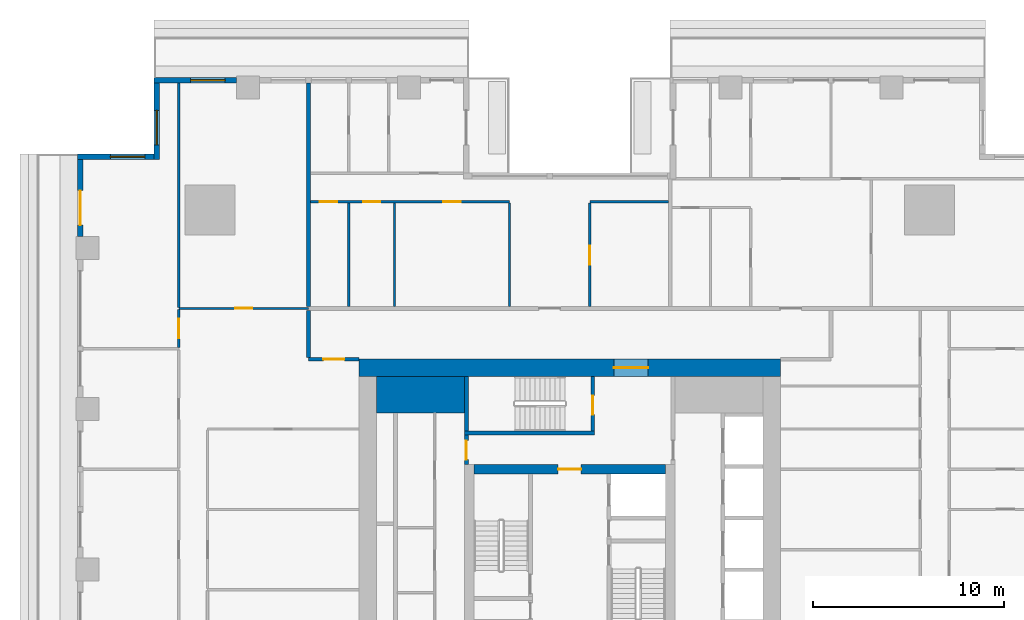
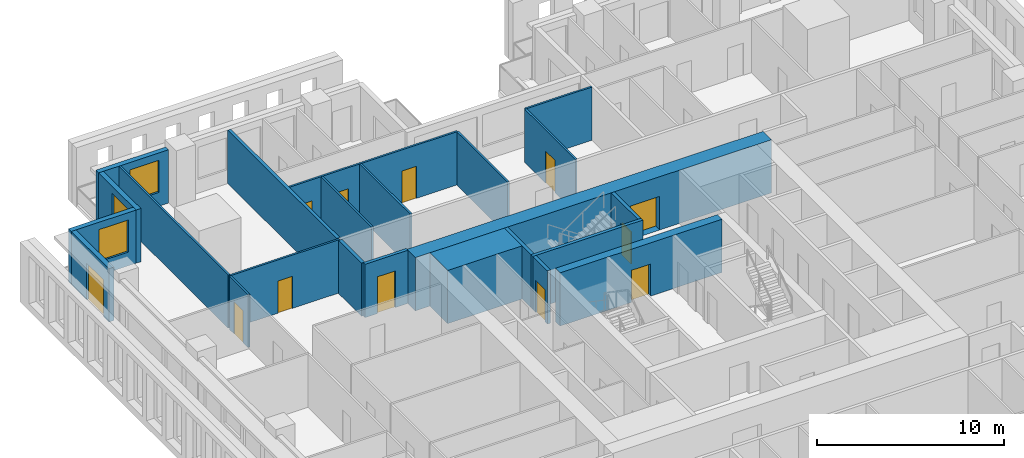
# One storey, part 7 of 16: 23 walls, 12 doors, 3 windows, 15 openings.
"""IFC4 building model written with IfcOpenShell, lengths in metres."""

from ifc_helpers import new_model, si_unit, direction, frame, frame_2d, origin, place, context, subcontext, project, spatial, rectangle, extrude, material, layer, layer_set, type_object, element, fill, save


model = new_model("IFC4")

# Units and contexts
model_context = context("Model", 3, precision=1e-05, world=origin(), true_north=direction((0.0, 1.0)))
body_context = subcontext(model_context, "Body", "Model", "MODEL_VIEW")
ifc_project = project(units=[si_unit("LENGTHUNIT", "METRE"), si_unit("AREAUNIT", "SQUARE_METRE"), si_unit("VOLUMEUNIT", "CUBIC_METRE"), si_unit("PLANEANGLEUNIT", "RADIAN"), si_unit("MASSUNIT", "GRAM", prefix="KILO")], contexts=[model_context])

# Site, building, storey
site_placement = place(None, origin())
site = spatial("IfcSite", under=ifc_project, at=site_placement, CompositionType="ELEMENT")
building_placement = place(site_placement, origin())
building = spatial("IfcBuilding", under=site, at=building_placement, Name="Khepri Terraces", CompositionType="ELEMENT")
storey_placement = place(building_placement, frame((0.0, 0.0, 141.60009765625)))
storey = spatial("IfcBuildingStorey", under=building, at=storey_placement, Name="L33", CompositionType="ELEMENT", Elevation=141.60009765625)

# Walls
ifc_material_1 = material(Name="Concrete C60/75", Category="concrete")
ifc_layer_1 = layer(ifc_material_1, 1.89990234375, Name="Concrete C60/75", Category="concrete")
ifc_layer_set_1 = layer_set([ifc_layer_1], Name="Concrete C60/75")
wall_type_1 = type_object("IfcWallType", Name="Core wall 1900 C60/75", PredefinedType="SHEAR", material=ifc_layer_set_1)
wall_1_placement = place(storey_placement, frame((-10.10009765625, 9.14990234375, 0.0), z_axis=(0.0, 0.0, 1.0), x_axis=(1.0, 0.0, 0.0)))
element("IfcWall", 1, at=wall_1_placement, inside=storey, type_object=wall_type_1, Name="Core wall PR03 L33", PredefinedType="SHEAR", context=body_context, shape_type="SweptSolid", body=[
    extrude(rectangle(XDim=4.60009765625, YDim=1.89990234375, at=frame_2d((2.300048828125, 0.0))), origin(), (0.0, 0.0, 1.0), 3.47998046875),
])
ifc_layer_2 = layer(ifc_material_1, 0.199951171875, Name="Concrete C60/75", Category="concrete")
ifc_layer_set_2 = layer_set([ifc_layer_2], Name="Concrete C60/75")
wall_type_2 = type_object("IfcWallType", Name="Core wall 200 C60/75", PredefinedType="SHEAR", material=ifc_layer_set_2)
wall_2_placement = place(storey_placement, frame((-5.5, 7.14990234375, 0.0), z_axis=(0.0, 0.0, 1.0), x_axis=(1.0, 0.0, 0.0)))
element("IfcWall", 2, at=wall_2_placement, inside=storey, type_object=wall_type_2, Name="Core wall ST05 L33", PredefinedType="SHEAR", context=body_context, shape_type="SweptSolid", body=[
    extrude(rectangle(XDim=6.800048828125, YDim=0.199951171875, at=frame_2d((3.39990234375, 0.0))), origin(), (0.0, 0.0, 1.0), 3.47998046875),
])
wall_3_placement = place(storey_placement, frame((-5.39990234375, 7.25, 0.0), z_axis=(0.0, 0.0, 1.0), x_axis=(0.0, 1.0, 0.0)))
element("IfcWall", 3, at=wall_3_placement, inside=storey, type_object=wall_type_2, Name="Core wall ST06 L33", PredefinedType="SHEAR", context=body_context, shape_type="SweptSolid", body=[
    extrude(rectangle(XDim=2.85009765625, YDim=0.199951171875, at=frame_2d((1.425048828125, 0.0))), origin(), (0.0, 0.0, 1.0), 3.47998046875),
])

# Wall, opening, door
wall_4_placement = place(storey_placement, frame((1.199951171875, 7.25, 0.0), z_axis=(0.0, 0.0, 1.0), x_axis=(0.0, 1.0, 0.0)))
wall_4 = element("IfcWall", 4, at=wall_4_placement, inside=storey, type_object=wall_type_2, Name="Core wall ST07 L33", PredefinedType="SHEAR", context=body_context, shape_type="SweptSolid", body=[
    extrude(rectangle(XDim=2.85009765625, YDim=0.199951171875, at=frame_2d((1.425048828125, 0.0))), origin(), (0.0, 0.0, 1.0), 3.47998046875),
])
opening_1_placement = place(wall_4_placement, frame((0.85009765625, 0.0, 0.0)))
opening_1 = element("IfcOpeningElement", 5, at=opening_1_placement, cuts=wall_4, Name="Opening L33-C15", PredefinedType="OPENING", context=body_context, shape_type="SweptSolid", body=[
    extrude(rectangle(XDim=1.0, YDim=2.10009765625, at=frame_2d((0.5, 1.050048828125))), frame((0.0, 0.10986328125, 0.0), z_axis=(0.0, -1.0, 0.0), x_axis=(1.0, 0.0, 0.0)), (0.0, 0.0, 1.0), 0.219970703125),
])
ifc_material_2 = material(Name="Painted steel", Category="steel")
door_type_1 = type_object("IfcDoorType", Name="DR-CORE-STAIR-1000", OperationType="NOTDEFINED", PredefinedType="DOOR", material=ifc_material_2)
door_1_placement = place(opening_1_placement, origin())
door_1 = element("IfcDoor", 6, at=door_1_placement, inside=storey, type_object=door_type_1, Name="Stair door L33-C15", OperationType="SINGLE_SWING_LEFT", OverallHeight=2.10009765625, OverallWidth=1.0, PredefinedType="DOOR", context=body_context, shape_type="SweptSolid", body=[
    extrude(rectangle(XDim=1.0, YDim=2.10009765625, at=frame_2d((0.5, 1.050048828125))), frame((0.0, 0.02490234375, 0.0), z_axis=(0.0, -1.0, 0.0), x_axis=(1.0, 0.0, 0.0)), (0.0, 0.0, 1.0), 0.050048828125),
])
fill(opening_1, door_1)

ifc_layer_3 = layer(ifc_material_1, 0.5, Name="Concrete C60/75", Category="concrete")
ifc_layer_set_3 = layer_set([ifc_layer_3], Name="Concrete C60/75")
wall_type_3 = type_object("IfcWallType", Name="Core wall 500 C60/75", PredefinedType="SHEAR", material=ifc_layer_set_3)
wall_5_placement = place(storey_placement, frame((-5.0, 5.25, 0.0), z_axis=(0.0, 0.0, 1.0), x_axis=(1.0, 0.0, 0.0)))
wall_5 = element("IfcWall", 7, at=wall_5_placement, inside=storey, type_object=wall_type_3, Name="Core wall BX04 L33", PredefinedType="SHEAR", context=body_context, shape_type="SweptSolid", body=[
    extrude(rectangle(XDim=10.0, YDim=0.5, at=frame_2d((5.0, 0.0))), origin(), (0.0, 0.0, 1.0), 3.47998046875),
])
opening_2_placement = place(wall_5_placement, frame((4.39990234375, 0.0, 0.0)))
opening_2 = element("IfcOpeningElement", 8, at=opening_2_placement, cuts=wall_5, Name="Opening L33-C13", PredefinedType="OPENING", context=body_context, shape_type="SweptSolid", body=[
    extrude(rectangle(XDim=1.199951171875, YDim=2.10009765625, at=frame_2d((0.60009765625, 1.050048828125))), frame((0.0, 0.260009765625, 0.0), z_axis=(0.0, -1.0, 0.0), x_axis=(1.0, 0.0, 0.0)), (0.0, 0.0, 1.0), 0.52001953125),
])
door_type_2 = type_object("IfcDoorType", Name="DR-CORE-FF-LOBBY-1200", OperationType="NOTDEFINED", PredefinedType="DOOR", material=ifc_material_2)
door_2_placement = place(opening_2_placement, frame((1.199951171875, 0.0, 0.0), z_axis=(0.0, 0.0, 1.0), x_axis=(-1.0, 0.0, 0.0)))
door_2 = element("IfcDoor", 9, at=door_2_placement, inside=storey, type_object=door_type_2, Name="Firefighting lobby door L33-C13", OperationType="SINGLE_SWING_LEFT", OverallHeight=2.10009765625, OverallWidth=1.199951171875, PredefinedType="DOOR", context=body_context, shape_type="SweptSolid", body=[
    extrude(rectangle(XDim=1.199951171875, YDim=2.10009765625, at=frame_2d((0.60009765625, 1.050048828125))), frame((0.0, 0.02490234375, 0.0), z_axis=(0.0, -1.0, 0.0), x_axis=(1.0, 0.0, 0.0)), (0.0, 0.0, 1.0), 0.050048828125),
])
fill(opening_2, door_2)

ifc_layer_4 = layer(ifc_material_1, 0.89990234375, Name="Concrete C60/75", Category="concrete")
ifc_layer_set_4 = layer_set([ifc_layer_4], Name="Concrete C60/75")
wall_type_4 = type_object("IfcWallType", Name="Core wall 900 C60/75", PredefinedType="SHEAR", material=ifc_layer_set_4)
wall_6_placement = place(storey_placement, frame((-11.0, 10.550048828125, 0.0), z_axis=(0.0, 0.0, 1.0), x_axis=(1.0, 0.0, 0.0)))
wall_6 = element("IfcWall", 10, at=wall_6_placement, inside=storey, type_object=wall_type_4, Name="Core wall OW-N L33", PredefinedType="SHEAR", context=body_context, shape_type="SweptSolid", body=[
    extrude(rectangle(XDim=22.0, YDim=0.89990234375, at=frame_2d((11.0, 0.0))), origin(), (0.0, 0.0, 1.0), 3.47998046875),
])
opening_3_placement = place(wall_6_placement, frame((13.300048828125, 0.0, 0.0)))
opening_3 = element("IfcOpeningElement", 11, at=opening_3_placement, cuts=wall_6, Name="Opening L33-C20", PredefinedType="OPENING", context=body_context, shape_type="SweptSolid", body=[
    extrude(rectangle(XDim=1.800048828125, YDim=2.199951171875, at=frame_2d((0.89990234375, 1.10009765625))), frame((0.0, 0.4599609375, 0.0), z_axis=(0.0, -1.0, 0.0), x_axis=(1.0, 0.0, 0.0)), (0.0, 0.0, 1.0), 0.919921875),
])
door_type_3 = type_object("IfcDoorType", Name="DR-CORE-ENTRANCE-1800", OperationType="NOTDEFINED", PredefinedType="DOOR", material=ifc_material_2)
door_3_placement = place(opening_3_placement, origin())
door_3 = element("IfcDoor", 12, at=door_3_placement, inside=storey, type_object=door_type_3, Name="Core entrance door pair L33-C20", OperationType="DOUBLE_DOOR_SINGLE_SWING", OverallHeight=2.199951171875, OverallWidth=1.800048828125, PredefinedType="DOOR", context=body_context, shape_type="SweptSolid", body=[
    extrude(rectangle(XDim=1.800048828125, YDim=2.199951171875, at=frame_2d((0.89990234375, 1.10009765625))), frame((0.0, 0.02490234375, 0.0), z_axis=(0.0, -1.0, 0.0), x_axis=(1.0, 0.0, 0.0)), (0.0, 0.0, 1.0), 0.050048828125),
])
fill(opening_3, door_3)

ifc_material_3 = material(Name="Fire-rated gypsum board partition")
ifc_layer_5 = layer(ifc_material_3, 0.199951171875, Name="Fire-rated gypsum board partition")
ifc_layer_set_5 = layer_set([ifc_layer_5], Name="Fire-rated gypsum board partition")
wall_type_5 = type_object("IfcWallType", Name="WL-CORE-PART-200", PredefinedType="PARTITIONING", material=ifc_layer_set_5)
wall_7_placement = place(storey_placement, frame((-5.39990234375, 5.5, 0.0), z_axis=(0.0, 0.0, 1.0), x_axis=(0.0, 1.0, 0.0)))
wall_7 = element("IfcWall", 13, at=wall_7_placement, inside=storey, type_object=wall_type_5, Name="Core partition PT09 L33", PredefinedType="PARTITIONING", context=body_context, shape_type="SweptSolid", body=[
    extrude(rectangle(XDim=1.550048828125, YDim=0.199951171875, at=frame_2d((0.77490234375, 0.0))), origin(), (0.0, 0.0, 1.0), 3.47998046875),
])
opening_4_placement = place(wall_7_placement, frame((0.25, 0.0, 0.0)))
opening_4 = element("IfcOpeningElement", 14, at=opening_4_placement, cuts=wall_7, Name="Opening L33-C16", PredefinedType="OPENING", context=body_context, shape_type="SweptSolid", body=[
    extrude(rectangle(XDim=1.0, YDim=2.10009765625, at=frame_2d((0.5, 1.050048828125))), frame((0.0, 0.10986328125, 0.0), z_axis=(0.0, -1.0, 0.0), x_axis=(1.0, 0.0, 0.0)), (0.0, 0.0, 1.0), 0.219970703125),
])
door_type_4 = type_object("IfcDoorType", Name="DR-CORE-LOBBY-1000", OperationType="NOTDEFINED", PredefinedType="DOOR", material=ifc_material_2)
door_4_placement = place(opening_4_placement, frame((1.0, 0.0, 0.0), z_axis=(0.0, 0.0, 1.0), x_axis=(-1.0, 0.0, 0.0)))
door_4 = element("IfcDoor", 15, at=door_4_placement, inside=storey, type_object=door_type_4, Name="Lobby door L33-C16", OperationType="SINGLE_SWING_RIGHT", OverallHeight=2.10009765625, OverallWidth=1.0, PredefinedType="DOOR", context=body_context, shape_type="SweptSolid", body=[
    extrude(rectangle(XDim=1.0, YDim=2.10009765625, at=frame_2d((0.5, 1.050048828125))), frame((0.0, 0.02490234375, 0.0), z_axis=(0.0, -1.0, 0.0), x_axis=(1.0, 0.0, 0.0)), (0.0, 0.0, 1.0), 0.050048828125),
])
fill(opening_4, door_4)

ifc_material_4 = material(Name="Fire-rated gypsum plasterboard partition, mineral wool")
ifc_layer_6 = layer(ifc_material_4, 0.199951171875, Name="Fire-rated gypsum plasterboard partition, mineral wool")
ifc_layer_set_6 = layer_set([ifc_layer_6], Name="Fire-rated gypsum plasterboard partition, mineral wool")
wall_type_6 = type_object("IfcWallType", Name="WL-CORR-200", PredefinedType="PARTITIONING", material=ifc_layer_set_6)
wall_8_placement = place(storey_placement, frame((-13.64990234375, 11.0, 0.0), z_axis=(0.0, 0.0, 1.0), x_axis=(1.0, 0.0, 0.0)))
wall_8 = element("IfcWall", 16, at=wall_8_placement, inside=storey, type_object=wall_type_6, Name="Partition P-078 L33", PredefinedType="PARTITIONING", context=body_context, shape_type="SweptSolid", body=[
    extrude(rectangle(XDim=2.64990234375, YDim=0.199951171875, at=frame_2d((1.324951171875, 0.0))), origin(), (0.0, 0.0, 1.0), 3.47998046875),
])
opening_5_placement = place(wall_8_placement, frame((0.77490234375, 0.0, 0.0)))
opening_5 = element("IfcOpeningElement", 17, at=opening_5_placement, cuts=wall_8, Name="Opening D1", PredefinedType="OPENING", context=body_context, shape_type="SweptSolid", body=[
    extrude(rectangle(XDim=1.10009765625, YDim=2.39990234375, at=frame_2d((0.550048828125, 1.199951171875))), frame((0.0, 0.10986328125, 0.0), z_axis=(0.0, -1.0, 0.0), x_axis=(1.0, 0.0, 0.0)), (0.0, 0.0, 1.0), 0.219970703125),
])
ifc_material_5 = material(Name="Solid-core timber door leaf, flat entrance door", Category="wood")
door_type_5 = type_object("IfcDoorType", Name="DR-ENT-1100", OperationType="NOTDEFINED", PredefinedType="DOOR", material=ifc_material_5)
door_5_placement = place(opening_5_placement, frame((1.10009765625, 0.0, 0.0), z_axis=(0.0, 0.0, 1.0), x_axis=(-1.0, 0.0, 0.0)))
door_5 = element("IfcDoor", 18, at=door_5_placement, inside=storey, type_object=door_type_5, Name="Flat D1 entrance door", OperationType="SINGLE_SWING_LEFT", OverallHeight=2.39990234375, OverallWidth=1.10009765625, PredefinedType="DOOR", context=body_context, shape_type="SweptSolid", body=[
    extrude(rectangle(XDim=1.10009765625, YDim=2.39990234375, at=frame_2d((0.550048828125, 1.199951171875))), frame((0.0, 0.02490234375, 0.0), z_axis=(0.0, -1.0, 0.0), x_axis=(1.0, 0.0, 0.0)), (0.0, 0.0, 1.0), 0.050048828125),
])
fill(opening_5, door_5)

# Walls
wall_9_placement = place(storey_placement, frame((-13.64990234375, 11.10009765625, 0.0), z_axis=(0.0, 0.0, 1.0), x_axis=(0.0, 1.0, 0.0)))
element("IfcWall", 19, at=wall_9_placement, inside=storey, type_object=wall_type_6, Name="Partition P-080 L33", PredefinedType="PARTITIONING", context=body_context, shape_type="SweptSolid", body=[
    extrude(rectangle(XDim=2.449951171875, YDim=0.199951171875, at=frame_2d((1.22509765625, 0.0))), origin(), (0.0, 0.0, 1.0), 3.47998046875),
])
wall_10_placement = place(storey_placement, frame((-13.64990234375, 13.75, 0.0), z_axis=(0.0, 0.0, 1.0), x_axis=(0.0, 1.0, 0.0)))
element("IfcWall", 20, at=wall_10_placement, inside=storey, type_object=wall_type_6, Name="Partition P-089 L33", PredefinedType="PARTITIONING", context=body_context, shape_type="SweptSolid", body=[
    extrude(rectangle(XDim=11.669921875, YDim=0.199951171875, at=frame_2d((5.8349609375, 0.0))), origin(), (0.0, 0.0, 1.0), 3.47998046875),
])

# Wall, opening, window
ifc_material_6 = material(Name="Precast concrete C50/60 warm stone", Category="masonry")
ifc_layer_7 = layer(ifc_material_6, 0.300048828125, Name="Precast concrete C50/60 warm stone", Category="masonry")
ifc_layer_set_7 = layer_set([ifc_layer_7], Name="Precast concrete C50/60 warm stone")
wall_type_7 = type_object("IfcWallType", Name="WL-EXT-PRECAST-300", PredefinedType="STANDARD", material=ifc_layer_set_7)
wall_11_placement = place(storey_placement, frame((-17.39990234375, 25.570068359375, 0.0), z_axis=(0.0, 0.0, 1.0), x_axis=(-1.0, 0.0, 0.0)))
wall_11 = element("IfcWall", 21, at=wall_11_placement, inside=storey, type_object=wall_type_7, Name="External wall L33 N", PredefinedType="STANDARD", context=body_context, shape_type="SweptSolid", body=[
    extrude(rectangle(XDim=4.320068359375, YDim=0.300048828125, at=frame_2d((2.16015625, 0.0))), origin(), (0.0, 0.0, 1.0), 3.47998046875),
])
opening_6_placement = place(wall_11_placement, frame((0.60009765625, 0.0, 0.89990234375)))
opening_6 = element("IfcOpeningElement", 22, at=opening_6_placement, cuts=wall_11, Name="Opening W1", PredefinedType="OPENING", context=body_context, shape_type="SweptSolid", body=[
    extrude(rectangle(XDim=1.800048828125, YDim=2.10009765625, at=frame_2d((0.89990234375, 1.050048828125))), frame((0.0, 0.16015625, 0.0), z_axis=(0.0, -1.0, 0.0), x_axis=(1.0, 0.0, 0.0)), (0.0, 0.0, 1.0), 0.320068359375),
])
ifc_material_7 = material(Name="Clear glass", Category="glass")
window_type = type_object("IfcWindowType", Name="WIN-RES-1800x2100", PartitioningType="SINGLE_PANEL", PredefinedType="WINDOW", material=ifc_material_7)
window_1_placement = place(opening_6_placement, origin())
window_1 = element("IfcWindow", 23, at=window_1_placement, inside=storey, type_object=window_type, Name="Window L33 N", OverallHeight=2.10009765625, OverallWidth=1.800048828125, PartitioningType="SINGLE_PANEL", PredefinedType="WINDOW", context=body_context, shape_type="SweptSolid", body=[
    extrude(rectangle(XDim=1.800048828125, YDim=2.10009765625, at=frame_2d((0.89990234375, 1.050048828125))), frame((0.0, 0.030029296875, 0.0), z_axis=(0.0, -1.0, 0.0), x_axis=(1.0, 0.0, 0.0)), (0.0, 0.0, 1.0), 0.06005859375),
])
fill(opening_6, window_1)

wall_12_placement = place(storey_placement, frame((-21.570068359375, 25.419921875, 0.0), z_axis=(0.0, 0.0, 1.0), x_axis=(0.0, -1.0, 0.0)))
wall_12 = element("IfcWall", 24, at=wall_12_placement, inside=storey, type_object=wall_type_7, Name="External wall L33 W", PredefinedType="STANDARD", context=body_context, shape_type="SweptSolid", body=[
    extrude(rectangle(XDim=4.0, YDim=0.300048828125, at=frame_2d((2.0, 0.0))), origin(), (0.0, 0.0, 1.0), 3.47998046875),
])
opening_7_placement = place(wall_12_placement, frame((1.419921875, 0.0, 0.89990234375)))
opening_7 = element("IfcOpeningElement", 25, at=opening_7_placement, cuts=wall_12, Name="Opening W1", PredefinedType="OPENING", context=body_context, shape_type="SweptSolid", body=[
    extrude(rectangle(XDim=1.800048828125, YDim=2.10009765625, at=frame_2d((0.89990234375, 1.050048828125))), frame((0.0, 0.16015625, 0.0), z_axis=(0.0, -1.0, 0.0), x_axis=(1.0, 0.0, 0.0)), (0.0, 0.0, 1.0), 0.320068359375),
])
window_2_placement = place(opening_7_placement, origin())
window_2 = element("IfcWindow", 26, at=window_2_placement, inside=storey, type_object=window_type, Name="Window L33 W", OverallHeight=2.10009765625, OverallWidth=1.800048828125, PartitioningType="SINGLE_PANEL", PredefinedType="WINDOW", context=body_context, shape_type="SweptSolid", body=[
    extrude(rectangle(XDim=1.800048828125, YDim=2.10009765625, at=frame_2d((0.89990234375, 1.050048828125))), frame((0.0, 0.030029296875, 0.0), z_axis=(0.0, -1.0, 0.0), x_axis=(1.0, 0.0, 0.0)), (0.0, 0.0, 1.0), 0.06005859375),
])
fill(opening_7, window_2)

wall_13_placement = place(storey_placement, frame((-21.719970703125, 21.570068359375, 0.0), z_axis=(0.0, 0.0, 1.0), x_axis=(-1.0, 0.0, 0.0)))
wall_13 = element("IfcWall", 27, at=wall_13_placement, inside=storey, type_object=wall_type_7, Name="External wall L33 N", PredefinedType="STANDARD", context=body_context, shape_type="SweptSolid", body=[
    extrude(rectangle(XDim=4.0, YDim=0.300048828125, at=frame_2d((2.0, 0.0))), origin(), (0.0, 0.0, 1.0), 3.47998046875),
])
opening_8_placement = place(wall_13_placement, frame((0.47998046875, 0.0, 0.89990234375)))
opening_8 = element("IfcOpeningElement", 28, at=opening_8_placement, cuts=wall_13, Name="Opening W1", PredefinedType="OPENING", context=body_context, shape_type="SweptSolid", body=[
    extrude(rectangle(XDim=1.800048828125, YDim=2.10009765625, at=frame_2d((0.89990234375, 1.050048828125))), frame((0.0, 0.16015625, 0.0), z_axis=(0.0, -1.0, 0.0), x_axis=(1.0, 0.0, 0.0)), (0.0, 0.0, 1.0), 0.320068359375),
])
window_3_placement = place(opening_8_placement, origin())
window_3 = element("IfcWindow", 29, at=window_3_placement, inside=storey, type_object=window_type, Name="Window L33 N", OverallHeight=2.10009765625, OverallWidth=1.800048828125, PartitioningType="SINGLE_PANEL", PredefinedType="WINDOW", context=body_context, shape_type="SweptSolid", body=[
    extrude(rectangle(XDim=1.800048828125, YDim=2.10009765625, at=frame_2d((0.89990234375, 1.050048828125))), frame((0.0, 0.030029296875, 0.0), z_axis=(0.0, -1.0, 0.0), x_axis=(1.0, 0.0, 0.0)), (0.0, 0.0, 1.0), 0.06005859375),
])
fill(opening_8, window_3)

# Wall, opening, door
wall_14_placement = place(storey_placement, frame((-25.570068359375, 21.419921875, 0.0), z_axis=(0.0, 0.0, 1.0), x_axis=(0.0, -1.0, 0.0)))
wall_14 = element("IfcWall", 30, at=wall_14_placement, inside=storey, type_object=wall_type_7, Name="External wall L33 W", PredefinedType="STANDARD", context=body_context, shape_type="SweptSolid", body=[
    extrude(rectangle(XDim=4.02001953125, YDim=0.300048828125, at=frame_2d((2.010009765625, 0.0))), origin(), (0.0, 0.0, 1.0), 3.47998046875),
])
opening_9_placement = place(wall_14_placement, frame((1.6201171875, 0.0, 0.0)))
opening_9 = element("IfcOpeningElement", 31, at=opening_9_placement, cuts=wall_14, Name="Opening ED-L33-13", PredefinedType="OPENING", context=body_context, shape_type="SweptSolid", body=[
    extrude(rectangle(XDim=1.800048828125, YDim=2.39990234375, at=frame_2d((0.89990234375, 1.199951171875))), frame((0.0, 0.16015625, 0.0), z_axis=(0.0, -1.0, 0.0), x_axis=(1.0, 0.0, 0.0)), (0.0, 0.0, 1.0), 0.320068359375),
])
ifc_material_8 = material(Name="Anodised aluminium bronze glazed door", Category="aluminium")
door_type_6 = type_object("IfcDoorType", Name="DR-BAL-SLIDE-1800x2400", OperationType="NOTDEFINED", PredefinedType="DOOR", material=ifc_material_8)
door_6_placement = place(opening_9_placement, origin())
door_6 = element("IfcDoor", 32, at=door_6_placement, inside=storey, type_object=door_type_6, Name="Balcony door L33 W", OperationType="SLIDING_TO_RIGHT", OverallHeight=2.39990234375, OverallWidth=1.800048828125, PredefinedType="DOOR", context=body_context, shape_type="SweptSolid", body=[
    extrude(rectangle(XDim=1.800048828125, YDim=2.39990234375, at=frame_2d((0.89990234375, 1.199951171875))), frame((0.0, 0.02490234375, 0.0), z_axis=(0.0, -1.0, 0.0), x_axis=(1.0, 0.0, 0.0)), (0.0, 0.0, 1.0), 0.050048828125),
])
fill(opening_9, door_6)

ifc_material_9 = material(Name="Gypsum plasterboard partition")
ifc_layer_8 = layer(ifc_material_9, 0.1201171875, Name="Gypsum plasterboard partition")
ifc_layer_set_8 = layer_set([ifc_layer_8], Name="Gypsum plasterboard partition")
wall_type_8 = type_object("IfcWallType", Name="WL-PART-120", PredefinedType="PARTITIONING", material=ifc_layer_set_8)
wall_15_placement = place(storey_placement, frame((-20.419921875, 11.610107421875, 0.0), z_axis=(0.0, 0.0, 1.0), x_axis=(0.0, 1.0, 0.0)))
wall_15 = element("IfcWall", 33, at=wall_15_placement, inside=storey, type_object=wall_type_8, Name="Partition P-084 L33", PredefinedType="PARTITIONING", context=body_context, shape_type="SweptSolid", body=[
    extrude(rectangle(XDim=1.97998046875, YDim=0.1201171875, at=frame_2d((0.989990234375, 0.0))), origin(), (0.0, 0.0, 1.0), 3.47998046875),
])
opening_10_placement = place(wall_15_placement, frame((0.489990234375, 0.0, 0.0)))
opening_10 = element("IfcOpeningElement", 34, at=opening_10_placement, cuts=wall_15, Name="Opening D2", PredefinedType="OPENING", context=body_context, shape_type="SweptSolid", body=[
    extrude(rectangle(XDim=1.0, YDim=2.10009765625, at=frame_2d((0.5, 1.050048828125))), frame((0.0, 0.070068359375, 0.0), z_axis=(0.0, -1.0, 0.0), x_axis=(1.0, 0.0, 0.0)), (0.0, 0.0, 1.0), 0.14013671875),
])
ifc_material_10 = material(Name="Timber door leaf, living room door", Category="wood")
door_type_7 = type_object("IfcDoorType", Name="DR-INT-1000", OperationType="NOTDEFINED", PredefinedType="DOOR", material=ifc_material_10)
door_7_placement = place(opening_10_placement, origin())
door_7 = element("IfcDoor", 35, at=door_7_placement, inside=storey, type_object=door_type_7, Name="Door Living Room", OperationType="SINGLE_SWING_RIGHT", OverallHeight=2.10009765625, OverallWidth=1.0, PredefinedType="DOOR", context=body_context, shape_type="SweptSolid", body=[
    extrude(rectangle(XDim=1.0, YDim=2.10009765625, at=frame_2d((0.5, 1.050048828125))), frame((0.0, 0.02490234375, 0.0), z_axis=(0.0, -1.0, 0.0), x_axis=(1.0, 0.0, 0.0)), (0.0, 0.0, 1.0), 0.050048828125),
])
fill(opening_10, door_7)

wall_16_placement = place(storey_placement, frame((-20.419921875, 13.64990234375, 0.0), z_axis=(0.0, 0.0, 1.0), x_axis=(1.0, 0.0, 0.0)))
wall_16 = element("IfcWall", 36, at=wall_16_placement, inside=storey, type_object=wall_type_8, Name="Partition P-086 L33", PredefinedType="PARTITIONING", context=body_context, shape_type="SweptSolid", body=[
    extrude(rectangle(XDim=6.77001953125, YDim=0.1201171875, at=frame_2d((3.385009765625, 0.0))), origin(), (0.0, 0.0, 1.0), 3.47998046875),
])
opening_11_placement = place(wall_16_placement, frame((2.93505859375, 0.0, 0.0)))
opening_11 = element("IfcOpeningElement", 37, at=opening_11_placement, cuts=wall_16, Name="Opening D3", PredefinedType="OPENING", context=body_context, shape_type="SweptSolid", body=[
    extrude(rectangle(XDim=0.89990234375, YDim=2.10009765625, at=frame_2d((0.449951171875, 1.050048828125))), frame((0.0, 0.070068359375, 0.0), z_axis=(0.0, -1.0, 0.0), x_axis=(1.0, 0.0, 0.0)), (0.0, 0.0, 1.0), 0.14013671875),
])
ifc_material_11 = material(Name="Timber door leaf", Category="wood")
door_type_8 = type_object("IfcDoorType", Name="DR-INT-900", OperationType="NOTDEFINED", PredefinedType="DOOR", material=ifc_material_11)
door_8_placement = place(opening_11_placement, origin())
door_8 = element("IfcDoor", 38, at=door_8_placement, inside=storey, type_object=door_type_8, Name="Door Home Gym", OperationType="SINGLE_SWING_RIGHT", OverallHeight=2.10009765625, OverallWidth=0.89990234375, PredefinedType="DOOR", context=body_context, shape_type="SweptSolid", body=[
    extrude(rectangle(XDim=0.89990234375, YDim=2.10009765625, at=frame_2d((0.449951171875, 1.050048828125))), frame((0.0, 0.02490234375, 0.0), z_axis=(0.0, -1.0, 0.0), x_axis=(1.0, 0.0, 0.0)), (0.0, 0.0, 1.0), 0.050048828125),
])
fill(opening_11, door_8)

# Walls
wall_17_placement = place(storey_placement, frame((-20.419921875, 13.7099609375, 0.0), z_axis=(0.0, 0.0, 1.0), x_axis=(0.0, 1.0, 0.0)))
element("IfcWall", 39, at=wall_17_placement, inside=storey, type_object=wall_type_8, Name="Partition P-088 L33", PredefinedType="PARTITIONING", context=body_context, shape_type="SweptSolid", body=[
    extrude(rectangle(XDim=11.7099609375, YDim=0.1201171875, at=frame_2d((5.85498046875, 0.0))), origin(), (0.0, 0.0, 1.0), 3.47998046875),
])
for number, where, z_axis, x_axis, name in (
    (40, (-11.550048828125, 13.75, 0.0), (0.0, 0.0, 1.0), (0.0, 1.0, 0.0), "Partition P-090 L33"),
    (41, (-9.14990234375, 13.75, 0.0), (0.0, 0.0, 1.0), (0.0, 1.0, 0.0), "Partition P-091 L33"),
    (42, (-3.14990234375, 13.75, 0.0), (0.0, 0.0, 1.0), (0.0, 1.0, 0.0), "Partition P-092 L33"),
):
    element("IfcWall", number, at=place(storey_placement, frame(where, z_axis=z_axis, x_axis=x_axis)), inside=storey, type_object=wall_type_8, Name=name, PredefinedType="PARTITIONING", context=body_context, shape_type="SweptSolid", body=[
        extrude(rectangle(XDim=5.409912109375, YDim=0.1201171875, at=frame_2d((2.705078125, 0.0))), origin(), (0.0, 0.0, 1.0), 3.47998046875),
    ])

# Wall, opening, door
wall_18_placement = place(storey_placement, frame((1.050048828125, 13.75, 0.0), z_axis=(0.0, 0.0, 1.0), x_axis=(0.0, 1.0, 0.0)))
wall_18 = element("IfcWall", 43, at=wall_18_placement, inside=storey, type_object=wall_type_8, Name="Partition P-093 L33", PredefinedType="PARTITIONING", context=body_context, shape_type="SweptSolid", body=[
    extrude(rectangle(XDim=5.409912109375, YDim=0.1201171875, at=frame_2d((2.705078125, 0.0))), origin(), (0.0, 0.0, 1.0), 3.47998046875),
])
opening_12_placement = place(wall_18_placement, frame((2.18505859375, 0.0, 0.0)))
opening_12 = element("IfcOpeningElement", 44, at=opening_12_placement, cuts=wall_18, Name="Opening D2", PredefinedType="OPENING", context=body_context, shape_type="SweptSolid", body=[
    extrude(rectangle(XDim=1.0, YDim=2.10009765625, at=frame_2d((0.5, 1.050048828125))), frame((0.0, 0.070068359375, 0.0), z_axis=(0.0, -1.0, 0.0), x_axis=(1.0, 0.0, 0.0)), (0.0, 0.0, 1.0), 0.14013671875),
])
door_9_placement = place(opening_12_placement, frame((1.0, 0.0, 0.0), z_axis=(0.0, 0.0, 1.0), x_axis=(-1.0, 0.0, 0.0)))
door_9 = element("IfcDoor", 45, at=door_9_placement, inside=storey, type_object=door_type_7, Name="Door Family Room", OperationType="SINGLE_SWING_RIGHT", OverallHeight=2.10009765625, OverallWidth=1.0, PredefinedType="DOOR", context=body_context, shape_type="SweptSolid", body=[
    extrude(rectangle(XDim=1.0, YDim=2.10009765625, at=frame_2d((0.5, 1.050048828125))), frame((0.0, 0.02490234375, 0.0), z_axis=(0.0, -1.0, 0.0), x_axis=(1.0, 0.0, 0.0)), (0.0, 0.0, 1.0), 0.050048828125),
])
fill(opening_12, door_9)

# Wall, openings, doors
wall_19_placement = place(storey_placement, frame((-13.550048828125, 19.219970703125, 0.0), z_axis=(0.0, 0.0, 1.0), x_axis=(1.0, 0.0, 0.0)))
wall_19 = element("IfcWall", 46, at=wall_19_placement, inside=storey, type_object=wall_type_8, Name="Partition P-099 L33", PredefinedType="PARTITIONING", context=body_context, shape_type="SweptSolid", body=[
    extrude(rectangle(XDim=10.400146484375, YDim=0.1201171875, at=frame_2d((5.2001953125, 0.0))), origin(), (0.0, 0.0, 1.0), 3.47998046875),
])
opening_13_placement = place(wall_19_placement, frame((6.949951171875, 0.0, 0.0)))
opening_13 = element("IfcOpeningElement", 47, at=opening_13_placement, cuts=wall_19, Name="Opening D3", PredefinedType="OPENING", context=body_context, shape_type="SweptSolid", body=[
    extrude(rectangle(XDim=0.89990234375, YDim=2.10009765625, at=frame_2d((0.449951171875, 1.050048828125))), frame((0.0, 0.070068359375, 0.0), z_axis=(0.0, -1.0, 0.0), x_axis=(1.0, 0.0, 0.0)), (0.0, 0.0, 1.0), 0.14013671875),
])
opening_14_placement = place(wall_19_placement, frame((2.75, 0.0, 0.0)))
opening_14 = element("IfcOpeningElement", 48, at=opening_14_placement, cuts=wall_19, Name="Opening D4", PredefinedType="OPENING", context=body_context, shape_type="SweptSolid", body=[
    extrude(rectangle(XDim=0.89990234375, YDim=2.10009765625, at=frame_2d((0.449951171875, 1.050048828125))), frame((0.0, 0.070068359375, 0.0), z_axis=(0.0, -1.0, 0.0), x_axis=(1.0, 0.0, 0.0)), (0.0, 0.0, 1.0), 0.14013671875),
])
opening_15_placement = place(wall_19_placement, frame((0.5, 0.0, 0.0)))
opening_15 = element("IfcOpeningElement", 49, at=opening_15_placement, cuts=wall_19, Name="Opening D4", PredefinedType="OPENING", context=body_context, shape_type="SweptSolid", body=[
    extrude(rectangle(XDim=0.89990234375, YDim=2.10009765625, at=frame_2d((0.449951171875, 1.050048828125))), frame((0.0, 0.070068359375, 0.0), z_axis=(0.0, -1.0, 0.0), x_axis=(1.0, 0.0, 0.0)), (0.0, 0.0, 1.0), 0.14013671875),
])
door_10_placement = place(opening_13_placement, frame((0.89990234375, 0.0, 0.0), z_axis=(0.0, 0.0, 1.0), x_axis=(-1.0, 0.0, 0.0)))
door_10 = element("IfcDoor", 50, at=door_10_placement, inside=storey, type_object=door_type_8, Name="Door Kitchen", OperationType="SINGLE_SWING_LEFT", OverallHeight=2.10009765625, OverallWidth=0.89990234375, PredefinedType="DOOR", context=body_context, shape_type="SweptSolid", body=[
    extrude(rectangle(XDim=0.89990234375, YDim=2.10009765625, at=frame_2d((0.449951171875, 1.050048828125))), frame((0.0, 0.02490234375, 0.0), z_axis=(0.0, -1.0, 0.0), x_axis=(1.0, 0.0, 0.0)), (0.0, 0.0, 1.0), 0.050048828125),
])
fill(opening_13, door_10)
ifc_material_12 = material(Name="Timber door leaf, moisture resistant", Category="wood")
door_type_9 = type_object("IfcDoorType", Name="DR-WET-900", OperationType="NOTDEFINED", PredefinedType="DOOR", material=ifc_material_12)
door_11_placement = place(opening_14_placement, frame((0.89990234375, 0.0, 0.0), z_axis=(0.0, 0.0, 1.0), x_axis=(-1.0, 0.0, 0.0)))
door_11 = element("IfcDoor", 51, at=door_11_placement, inside=storey, type_object=door_type_9, Name="Door Powder Room", OperationType="SINGLE_SWING_RIGHT", OverallHeight=2.10009765625, OverallWidth=0.89990234375, PredefinedType="DOOR", context=body_context, shape_type="SweptSolid", body=[
    extrude(rectangle(XDim=0.89990234375, YDim=2.10009765625, at=frame_2d((0.449951171875, 1.050048828125))), frame((0.0, 0.02490234375, 0.0), z_axis=(0.0, -1.0, 0.0), x_axis=(1.0, 0.0, 0.0)), (0.0, 0.0, 1.0), 0.050048828125),
])
fill(opening_14, door_11)
door_12_placement = place(opening_15_placement, frame((0.89990234375, 0.0, 0.0), z_axis=(0.0, 0.0, 1.0), x_axis=(-1.0, 0.0, 0.0)))
door_12 = element("IfcDoor", 52, at=door_12_placement, inside=storey, type_object=door_type_9, Name="Door Guest Bathroom", OperationType="SINGLE_SWING_RIGHT", OverallHeight=2.10009765625, OverallWidth=0.89990234375, PredefinedType="DOOR", context=body_context, shape_type="SweptSolid", body=[
    extrude(rectangle(XDim=0.89990234375, YDim=2.10009765625, at=frame_2d((0.449951171875, 1.050048828125))), frame((0.0, 0.02490234375, 0.0), z_axis=(0.0, -1.0, 0.0), x_axis=(1.0, 0.0, 0.0)), (0.0, 0.0, 1.0), 0.050048828125),
])
fill(opening_15, door_12)

# Wall
wall_20_placement = place(storey_placement, frame((1.050048828125, 19.219970703125, 0.0), z_axis=(0.0, 0.0, 1.0), x_axis=(1.0, 0.0, 0.0)))
element("IfcWall", 53, at=wall_20_placement, inside=storey, type_object=wall_type_8, Name="Partition P-100 L33", PredefinedType="PARTITIONING", context=body_context, shape_type="SweptSolid", body=[
    extrude(rectangle(XDim=4.099853515625, YDim=0.1201171875, at=frame_2d((2.0498046875, 0.0))), origin(), (0.0, 0.0, 1.0), 3.47998046875),
])

save(model, "model.ifc")
